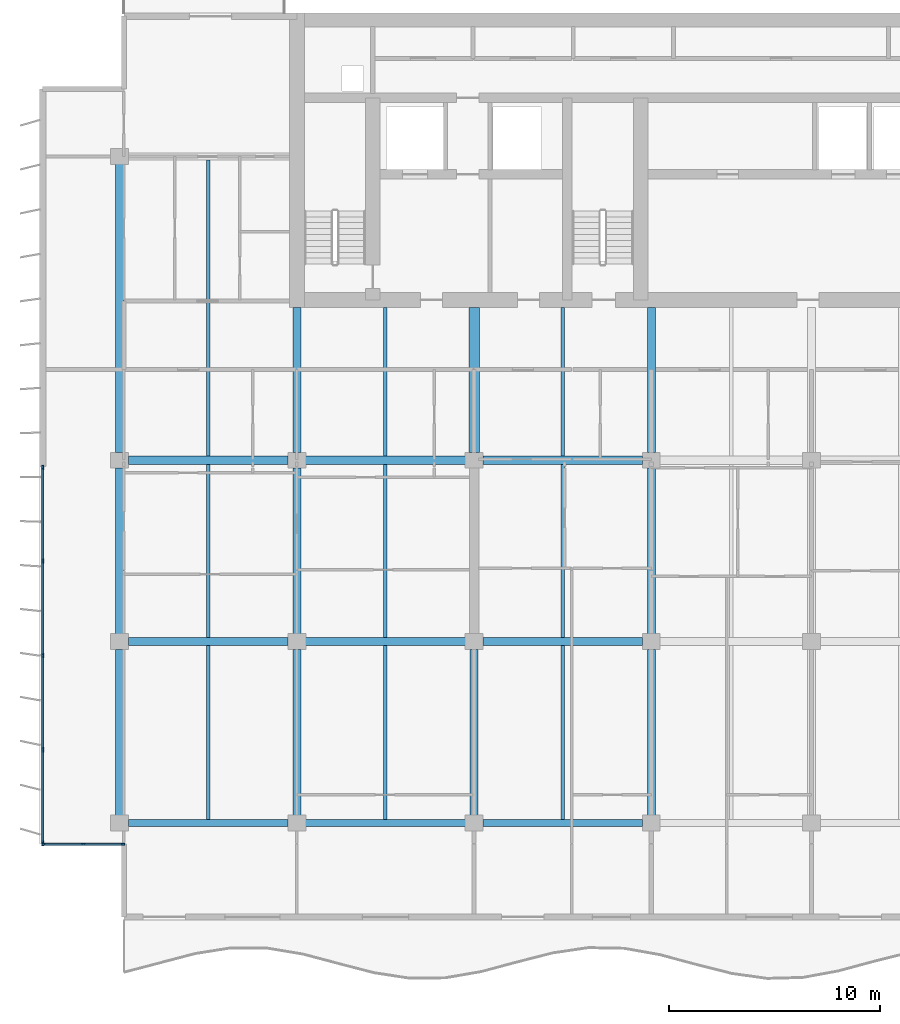
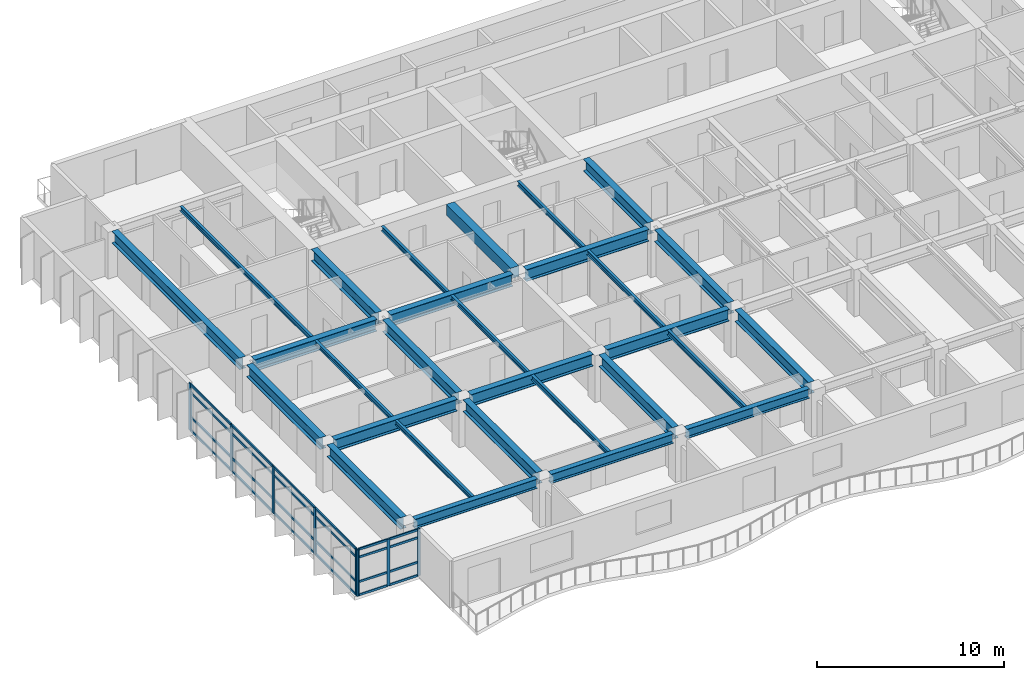
# One storey, part 2 of 18: 32 members, 29 beams, 2 elements without a shape of their own.
"""IFC4 building model written with IfcOpenShell, lengths in metres."""

from ifc_helpers import new_model, si_unit, direction, frame, origin, origin_2d, place, context, subcontext, project, spatial, rectangle, i_section, extrude, material, layer, layer_set, material_profile, profile_set, type_object, element, aggregate, save


model = new_model("IFC4")

# Units and contexts
model_context = context("Model", 3, precision=1e-05, world=origin(), true_north=direction((0.0, 1.0)))
body_context = subcontext(model_context, "Body", "Model", "MODEL_VIEW")
ifc_project = project(units=[si_unit("LENGTHUNIT", "METRE"), si_unit("AREAUNIT", "SQUARE_METRE"), si_unit("VOLUMEUNIT", "CUBIC_METRE"), si_unit("PLANEANGLEUNIT", "RADIAN"), si_unit("MASSUNIT", "GRAM", prefix="KILO")], contexts=[model_context])

# Site, building, storey
site_placement = place(None, origin())
site = spatial("IfcSite", under=ifc_project, at=site_placement, CompositionType="ELEMENT")
building_placement = place(site_placement, origin())
building = spatial("IfcBuilding", under=site, at=building_placement, Name="Caelmar Bay Residences", CompositionType="ELEMENT")
storey_placement = place(building_placement, frame((0.0, 0.0, 170.39990234375)))
storey = spatial("IfcBuildingStorey", under=building, at=storey_placement, Name="L47", CompositionType="ELEMENT", Elevation=170.39990234375)

# Beams
ifc_material_1 = material(Name="Steel ASTM A992 Grade 50", Category="steel")
ifc_material_profile_1 = material_profile(ifc_material_1, i_section(OverallWidth=0.381103515625, OverallDepth=0.77197265625, WebThickness=0.0166015625, FlangeThickness=0.027099609375, FilletRadius=0.0166015625, at=origin_2d()), Name="W30X173")
ifc_profile_set_1 = profile_set([ifc_material_profile_1], Name="Steel ASTM A992 Grade 50")
beam_type_1 = type_object("IfcBeamType", Name="BM-GRD-W30X173", PredefinedType="BEAM", material=ifc_profile_set_1)
beam_1_placement = place(storey_placement, frame((10.31494140625, 20.800048828125, 2.6640625), z_axis=(1.0, 0.0, 0.0), x_axis=(0.0, 1.0, 0.0)))
element("IfcBeam", 1, at=beam_1_placement, inside=storey, type_object=beam_type_1, Name="L47 East-West Girder Y=20.80 (9.9-18.3)", PredefinedType="BEAM", context=body_context, shape_type="SweptSolid", body=[
    extrude(i_section(OverallWidth=0.381103515625, OverallDepth=0.77197265625, WebThickness=0.0166015625, FlangeThickness=0.027099609375, FilletRadius=0.0166015625, at=origin_2d()), origin(), (0.0, 0.0, 1.0), 7.570068359375),
])
beam_2_placement = place(storey_placement, frame((18.715087890625, 20.800048828125, 2.6640625), z_axis=(1.0, 0.0, 0.0), x_axis=(0.0, 1.0, 0.0)))
element("IfcBeam", 2, at=beam_2_placement, inside=storey, type_object=beam_type_1, Name="L47 East-West Girder Y=20.80 (18.3-26.7)", PredefinedType="BEAM", context=body_context, shape_type="SweptSolid", body=[
    extrude(i_section(OverallWidth=0.381103515625, OverallDepth=0.77197265625, WebThickness=0.0166015625, FlangeThickness=0.027099609375, FilletRadius=0.0166015625, at=origin_2d()), origin(), (0.0, 0.0, 1.0), 7.56982421875),
])
for number, where, z_axis, x_axis, name in (
    (3, (27.114990234375, 20.800048828125, 2.6640625), (1.0, 0.0, 0.0), (0.0, 1.0, 0.0), "L47 East-West Girder Y=20.80 (26.7-35.1)"),
    (4, (10.31494140625, 29.39990234375, 2.6640625), (1.0, 0.0, 0.0), (0.0, 1.0, 0.0), "L47 East-West Girder Y=29.40 (9.9-18.3)"),
):
    element("IfcBeam", number, at=place(storey_placement, frame(where, z_axis=z_axis, x_axis=x_axis)), inside=storey, type_object=beam_type_1, Name=name, PredefinedType="BEAM", context=body_context, shape_type="SweptSolid", body=[
        extrude(i_section(OverallWidth=0.381103515625, OverallDepth=0.77197265625, WebThickness=0.0166015625, FlangeThickness=0.027099609375, FilletRadius=0.0166015625, at=origin_2d()), origin(), (0.0, 0.0, 1.0), 7.570068359375),
    ])
beam_3_placement = place(storey_placement, frame((18.715087890625, 29.39990234375, 2.6640625), z_axis=(1.0, 0.0, 0.0), x_axis=(0.0, 1.0, 0.0)))
element("IfcBeam", 5, at=beam_3_placement, inside=storey, type_object=beam_type_1, Name="L47 East-West Girder Y=29.40 (18.3-26.7)", PredefinedType="BEAM", context=body_context, shape_type="SweptSolid", body=[
    extrude(i_section(OverallWidth=0.381103515625, OverallDepth=0.77197265625, WebThickness=0.0166015625, FlangeThickness=0.027099609375, FilletRadius=0.0166015625, at=origin_2d()), origin(), (0.0, 0.0, 1.0), 7.56982421875),
])
beam_4_placement = place(storey_placement, frame((27.114990234375, 29.39990234375, 2.6640625), z_axis=(1.0, 0.0, 0.0), x_axis=(0.0, 1.0, 0.0)))
element("IfcBeam", 6, at=beam_4_placement, inside=storey, type_object=beam_type_1, Name="L47 East-West Girder Y=29.40 (26.7-35.1)", PredefinedType="BEAM", context=body_context, shape_type="SweptSolid", body=[
    extrude(i_section(OverallWidth=0.381103515625, OverallDepth=0.77197265625, WebThickness=0.0166015625, FlangeThickness=0.027099609375, FilletRadius=0.0166015625, at=origin_2d()), origin(), (0.0, 0.0, 1.0), 7.570068359375),
])
beam_5_placement = place(storey_placement, frame((9.89990234375, 12.56494140625, 2.6640625), z_axis=(0.0, 1.0, 0.0), x_axis=(-1.0, 0.0, 0.0)))
element("IfcBeam", 7, at=beam_5_placement, inside=storey, type_object=beam_type_1, Name="L47 North-South Girder X=9.90 (12.2-20.8)", PredefinedType="BEAM", context=body_context, shape_type="SweptSolid", body=[
    extrude(i_section(OverallWidth=0.381103515625, OverallDepth=0.77197265625, WebThickness=0.0166015625, FlangeThickness=0.027099609375, FilletRadius=0.0166015625, at=origin_2d()), origin(), (0.0, 0.0, 1.0), 7.8701171875),
])
beam_6_placement = place(storey_placement, frame((9.89990234375, 21.1650390625, 2.6640625), z_axis=(0.0, 1.0, 0.0), x_axis=(-1.0, 0.0, 0.0)))
element("IfcBeam", 8, at=beam_6_placement, inside=storey, type_object=beam_type_1, Name="L47 North-South Girder X=9.90 (20.8-29.4)", PredefinedType="BEAM", context=body_context, shape_type="SweptSolid", body=[
    extrude(i_section(OverallWidth=0.381103515625, OverallDepth=0.77197265625, WebThickness=0.0166015625, FlangeThickness=0.027099609375, FilletRadius=0.0166015625, at=origin_2d()), origin(), (0.0, 0.0, 1.0), 7.869873046875),
])
beam_7_placement = place(storey_placement, frame((9.89990234375, 29.764892578125, 2.6640625), z_axis=(0.0, 1.0, 0.0), x_axis=(-1.0, 0.0, 0.0)))
element("IfcBeam", 9, at=beam_7_placement, inside=storey, type_object=beam_type_1, Name="L47 North-South Girder X=9.90 (29.4-43.8)", PredefinedType="BEAM", context=body_context, shape_type="SweptSolid", body=[
    extrude(i_section(OverallWidth=0.381103515625, OverallDepth=0.77197265625, WebThickness=0.0166015625, FlangeThickness=0.027099609375, FilletRadius=0.0166015625, at=origin_2d()), origin(), (0.0, 0.0, 1.0), 13.670166015625),
])
beam_8_placement = place(storey_placement, frame((18.300048828125, 29.764892578125, 2.6640625), z_axis=(0.0, 1.0, 0.0), x_axis=(-1.0, 0.0, 0.0)))
element("IfcBeam", 10, at=beam_8_placement, inside=storey, type_object=beam_type_1, Name="L47 Core Tie Girder X=18.30", PredefinedType="BEAM", context=body_context, shape_type="SweptSolid", body=[
    extrude(i_section(OverallWidth=0.381103515625, OverallDepth=0.77197265625, WebThickness=0.0166015625, FlangeThickness=0.027099609375, FilletRadius=0.0166015625, at=origin_2d()), origin(), (0.0, 0.0, 1.0), 6.885009765625),
])
beam_9_placement = place(storey_placement, frame((18.300048828125, 12.56494140625, 2.6640625), z_axis=(0.0, 1.0, 0.0), x_axis=(-1.0, 0.0, 0.0)))
element("IfcBeam", 11, at=beam_9_placement, inside=storey, type_object=beam_type_1, Name="L47 North-South Girder X=18.30 (12.2-20.8)", PredefinedType="BEAM", context=body_context, shape_type="SweptSolid", body=[
    extrude(i_section(OverallWidth=0.381103515625, OverallDepth=0.77197265625, WebThickness=0.0166015625, FlangeThickness=0.027099609375, FilletRadius=0.0166015625, at=origin_2d()), origin(), (0.0, 0.0, 1.0), 7.8701171875),
])
beam_10_placement = place(storey_placement, frame((18.300048828125, 21.1650390625, 2.6640625), z_axis=(0.0, 1.0, 0.0), x_axis=(-1.0, 0.0, 0.0)))
element("IfcBeam", 12, at=beam_10_placement, inside=storey, type_object=beam_type_1, Name="L47 North-South Girder X=18.30 (20.8-29.4)", PredefinedType="BEAM", context=body_context, shape_type="SweptSolid", body=[
    extrude(i_section(OverallWidth=0.381103515625, OverallDepth=0.77197265625, WebThickness=0.0166015625, FlangeThickness=0.027099609375, FilletRadius=0.0166015625, at=origin_2d()), origin(), (0.0, 0.0, 1.0), 7.869873046875),
])
beam_11_placement = place(storey_placement, frame((26.699951171875, 12.56494140625, 2.6640625), z_axis=(0.0, 1.0, 0.0), x_axis=(-1.0, 0.0, 0.0)))
element("IfcBeam", 13, at=beam_11_placement, inside=storey, type_object=beam_type_1, Name="L47 North-South Girder X=26.70 (12.2-20.8)", PredefinedType="BEAM", context=body_context, shape_type="SweptSolid", body=[
    extrude(i_section(OverallWidth=0.381103515625, OverallDepth=0.77197265625, WebThickness=0.0166015625, FlangeThickness=0.027099609375, FilletRadius=0.0166015625, at=origin_2d()), origin(), (0.0, 0.0, 1.0), 7.8701171875),
])
beam_12_placement = place(storey_placement, frame((35.10009765625, 29.764892578125, 2.6640625), z_axis=(0.0, 1.0, 0.0), x_axis=(-1.0, 0.0, 0.0)))
element("IfcBeam", 14, at=beam_12_placement, inside=storey, type_object=beam_type_1, Name="L47 Core Tie Girder X=35.10", PredefinedType="BEAM", context=body_context, shape_type="SweptSolid", body=[
    extrude(i_section(OverallWidth=0.381103515625, OverallDepth=0.77197265625, WebThickness=0.0166015625, FlangeThickness=0.027099609375, FilletRadius=0.0166015625, at=origin_2d()), origin(), (0.0, 0.0, 1.0), 6.885009765625),
])
beam_13_placement = place(storey_placement, frame((35.10009765625, 12.56494140625, 2.6640625), z_axis=(0.0, 1.0, 0.0), x_axis=(-1.0, 0.0, 0.0)))
element("IfcBeam", 15, at=beam_13_placement, inside=storey, type_object=beam_type_1, Name="L47 North-South Girder X=35.10 (12.2-20.8)", PredefinedType="BEAM", context=body_context, shape_type="SweptSolid", body=[
    extrude(i_section(OverallWidth=0.381103515625, OverallDepth=0.77197265625, WebThickness=0.0166015625, FlangeThickness=0.027099609375, FilletRadius=0.0166015625, at=origin_2d()), origin(), (0.0, 0.0, 1.0), 7.8701171875),
])
beam_14_placement = place(storey_placement, frame((35.10009765625, 21.1650390625, 2.6640625), z_axis=(0.0, 1.0, 0.0), x_axis=(-1.0, 0.0, 0.0)))
element("IfcBeam", 16, at=beam_14_placement, inside=storey, type_object=beam_type_1, Name="L47 North-South Girder X=35.10 (20.8-29.4)", PredefinedType="BEAM", context=body_context, shape_type="SweptSolid", body=[
    extrude(i_section(OverallWidth=0.381103515625, OverallDepth=0.77197265625, WebThickness=0.0166015625, FlangeThickness=0.027099609375, FilletRadius=0.0166015625, at=origin_2d()), origin(), (0.0, 0.0, 1.0), 7.869873046875),
])
ifc_material_profile_2 = material_profile(ifc_material_1, i_section(OverallWidth=0.1650390625, OverallDepth=0.31005859375, WebThickness=0.005859375, FlangeThickness=0.009765625, FilletRadius=0.007568359375, at=origin_2d()), Name="W12X26")
ifc_profile_set_2 = profile_set([ifc_material_profile_2], Name="Steel ASTM A992 Grade 50")
beam_type_2 = type_object("IfcBeamType", Name="BM-JST-W12X26", PredefinedType="JOIST", material=ifc_profile_set_2)
for number, where, z_axis, x_axis, name in (
    (17, (14.10009765625, 12.362548828125, 2.89501953125), (0.0, 1.0, 0.0), (-1.0, 0.0, 0.0), "L47 Composite Floor Joist 1"),
    (18, (22.5, 12.362548828125, 2.89501953125), (0.0, 1.0, 0.0), (-1.0, 0.0, 0.0), "L47 Composite Floor Joist 2"),
    (19, (30.89990234375, 12.362548828125, 2.89501953125), (0.0, 1.0, 0.0), (-1.0, 0.0, 0.0), "L47 Composite Floor Joist 3"),
):
    element("IfcBeam", number, at=place(storey_placement, frame(where, z_axis=z_axis, x_axis=x_axis)), inside=storey, type_object=beam_type_2, Name=name, PredefinedType="JOIST", context=body_context, shape_type="SweptSolid", body=[
        extrude(i_section(OverallWidth=0.1650390625, OverallDepth=0.31005859375, WebThickness=0.005859375, FlangeThickness=0.009765625, FilletRadius=0.007568359375, at=origin_2d()), origin(), (0.0, 0.0, 1.0), 8.2470703125),
    ])
for number, where, z_axis, x_axis, name in (
    (20, (14.10009765625, 20.990478515625, 2.89501953125), (0.0, 1.0, 0.0), (-1.0, 0.0, 0.0), "L47 Composite Floor Joist 8"),
    (21, (22.5, 20.990478515625, 2.89501953125), (0.0, 1.0, 0.0), (-1.0, 0.0, 0.0), "L47 Composite Floor Joist 9"),
    (22, (30.89990234375, 20.990478515625, 2.89501953125), (0.0, 1.0, 0.0), (-1.0, 0.0, 0.0), "L47 Composite Floor Joist 10"),
):
    element("IfcBeam", number, at=place(storey_placement, frame(where, z_axis=z_axis, x_axis=x_axis)), inside=storey, type_object=beam_type_2, Name=name, PredefinedType="JOIST", context=body_context, shape_type="SweptSolid", body=[
        extrude(i_section(OverallWidth=0.1650390625, OverallDepth=0.31005859375, WebThickness=0.005859375, FlangeThickness=0.009765625, FilletRadius=0.007568359375, at=origin_2d()), origin(), (0.0, 0.0, 1.0), 8.218994140625),
    ])
for number, where, z_axis, x_axis, name in (
    (23, (22.5, 29.590576171875, 2.89501953125), (0.0, 1.0, 0.0), (-1.0, 0.0, 0.0), "L47 Core-Band Composite Joist 15"),
    (24, (30.89990234375, 29.590576171875, 2.89501953125), (0.0, 1.0, 0.0), (-1.0, 0.0, 0.0), "L47 Core-Band Composite Joist 16"),
):
    element("IfcBeam", number, at=place(storey_placement, frame(where, z_axis=z_axis, x_axis=x_axis)), inside=storey, type_object=beam_type_2, Name=name, PredefinedType="JOIST", context=body_context, shape_type="SweptSolid", body=[
        extrude(i_section(OverallWidth=0.1650390625, OverallDepth=0.31005859375, WebThickness=0.005859375, FlangeThickness=0.009765625, FilletRadius=0.007568359375, at=origin_2d()), origin(), (0.0, 0.0, 1.0), 7.059326171875),
    ])
beam_15_placement = place(storey_placement, frame((14.10009765625, 29.590576171875, 2.89501953125), z_axis=(0.0, 1.0, 0.0), x_axis=(-1.0, 0.0, 0.0)))
element("IfcBeam", 25, at=beam_15_placement, inside=storey, type_object=beam_type_2, Name="L47 Composite Floor Joist 20", PredefinedType="JOIST", context=body_context, shape_type="SweptSolid", body=[
    extrude(i_section(OverallWidth=0.1650390625, OverallDepth=0.31005859375, WebThickness=0.005859375, FlangeThickness=0.009765625, FilletRadius=0.007568359375, at=origin_2d()), origin(), (0.0, 0.0, 1.0), 14.046875),
])
ifc_material_2 = material(Name="Concrete f'c 55 MPa (8,000 psi)", Category="concrete")
ifc_material_profile_3 = material_profile(ifc_material_2, rectangle(XDim=0.5, YDim=0.699951171875, at=origin_2d()), Name="RC-BM-500X700")
ifc_profile_set_3 = profile_set([ifc_material_profile_3], Name="Concrete f'c 55 MPa (8,000 psi)")
beam_type_3 = type_object("IfcBeamType", Name="BM-RC-500X700", PredefinedType="LINTEL", material=ifc_profile_set_3)
beam_16_placement = place(storey_placement, frame((26.699951171875, 29.764892578125, 2.7001953125), z_axis=(0.0, 1.0, 0.0), x_axis=(-1.0, 0.0, 0.0)))
element("IfcBeam", 26, at=beam_16_placement, inside=storey, type_object=beam_type_3, Name="L47 Shear-Wall Corridor Coupling Lintel W5", PredefinedType="LINTEL", context=body_context, shape_type="SweptSolid", body=[
    extrude(rectangle(XDim=0.5, YDim=0.699951171875, at=origin_2d()), origin(), (0.0, 0.0, 1.0), 6.885009765625),
])
ifc_material_profile_4 = material_profile(ifc_material_1, i_section(OverallWidth=0.324951171875, OverallDepth=0.616943359375, WebThickness=0.013916015625, FlangeThickness=0.021484375, FilletRadius=0.0126953125, at=origin_2d()), Name="W24X117")
ifc_profile_set_4 = profile_set([ifc_material_profile_4], Name="Steel ASTM A992 Grade 50")
beam_type_4 = type_object("IfcBeamType", Name="BM-SPN-W24X117", PredefinedType="SPANDREL", material=ifc_profile_set_4)
beam_17_placement = place(storey_placement, frame((10.31494140625, 12.199951171875, 2.74169921875), z_axis=(1.0, 0.0, 0.0), x_axis=(0.0, 1.0, 0.0)))
element("IfcBeam", 27, at=beam_17_placement, inside=storey, type_object=beam_type_4, Name="L47 East-West Girder Y=12.20 (9.9-18.3)", PredefinedType="SPANDREL", context=body_context, shape_type="SweptSolid", body=[
    extrude(i_section(OverallWidth=0.324951171875, OverallDepth=0.616943359375, WebThickness=0.013916015625, FlangeThickness=0.021484375, FilletRadius=0.0126953125, at=origin_2d()), origin(), (0.0, 0.0, 1.0), 7.570068359375),
])
beam_18_placement = place(storey_placement, frame((18.715087890625, 12.199951171875, 2.74169921875), z_axis=(1.0, 0.0, 0.0), x_axis=(0.0, 1.0, 0.0)))
element("IfcBeam", 28, at=beam_18_placement, inside=storey, type_object=beam_type_4, Name="L47 East-West Girder Y=12.20 (18.3-26.7)", PredefinedType="SPANDREL", context=body_context, shape_type="SweptSolid", body=[
    extrude(i_section(OverallWidth=0.324951171875, OverallDepth=0.616943359375, WebThickness=0.013916015625, FlangeThickness=0.021484375, FilletRadius=0.0126953125, at=origin_2d()), origin(), (0.0, 0.0, 1.0), 7.56982421875),
])
beam_19_placement = place(storey_placement, frame((27.114990234375, 12.199951171875, 2.74169921875), z_axis=(1.0, 0.0, 0.0), x_axis=(0.0, 1.0, 0.0)))
element("IfcBeam", 29, at=beam_19_placement, inside=storey, type_object=beam_type_4, Name="L47 East-West Girder Y=12.20 (26.7-35.1)", PredefinedType="SPANDREL", context=body_context, shape_type="SweptSolid", body=[
    extrude(i_section(OverallWidth=0.324951171875, OverallDepth=0.616943359375, WebThickness=0.013916015625, FlangeThickness=0.021484375, FilletRadius=0.0126953125, at=origin_2d()), origin(), (0.0, 0.0, 1.0), 7.570068359375),
])

# Curtain wall, members
ifc_material_3 = material(Name="Anodised bronze aluminium 6063-T6 and laminated glass", Category="aluminium")
ifc_layer_1 = layer(ifc_material_3, 0.179931640625)
ifc_layer_set_1 = layer_set([ifc_layer_1], Name="Anodised bronze aluminium 6063-T6 and laminated glass")
curtain_wall_type_1 = type_object("IfcCurtainWallType", Name="CW6-NTC", PredefinedType="NOTDEFINED", material=ifc_layer_set_1)
curtain_wall_1_placement = place(storey_placement, origin())
curtain_wall_1 = element("IfcCurtainWall", 30, at=curtain_wall_1_placement, inside=storey, type_object=curtain_wall_type_1, Name="CW6 curtain wall L47", PredefinedType="NOTDEFINED")
ifc_material_4 = material(Name="Anodised bronze aluminium 6063-T6", Category="aluminium")
ifc_material_profile_5 = material_profile(ifc_material_4, rectangle(XDim=0.080078125, YDim=0.179931640625, at=origin_2d()), Name="CWM-80X180")
ifc_profile_set_5 = profile_set([ifc_material_profile_5], Name="Anodised bronze aluminium 6063-T6")
member_type_1 = type_object("IfcMemberType", Name="CWM-180", PredefinedType="MULLION", material=ifc_profile_set_5)
member_1_placement = place(storey_placement, frame((6.2900390625, 11.199951171875, 0.0), z_axis=(0.0, 0.0, 1.0), x_axis=(0.0, 1.0, 0.0)))
member_1 = element("IfcMember", 31, at=member_1_placement, type_object=member_type_1, Name="CW6 mullion 1", PredefinedType="MULLION", context=body_context, shape_type="SweptSolid", body=[
    extrude(rectangle(XDim=0.080078125, YDim=0.179931640625, at=origin_2d()), origin(), (0.0, 0.0, 1.0), 3.050048828125),
])
member_2_placement = place(storey_placement, frame((8.175048828125, 11.199951171875, 0.0), z_axis=(0.0, 0.0, 1.0), x_axis=(0.0, 1.0, 0.0)))
member_2 = element("IfcMember", 32, at=member_2_placement, type_object=member_type_1, Name="CW6 mullion 2", PredefinedType="MULLION", context=body_context, shape_type="SweptSolid", body=[
    extrude(rectangle(XDim=0.080078125, YDim=0.179931640625, at=origin_2d()), origin(), (0.0, 0.0, 1.0), 3.050048828125),
])
member_3_placement = place(storey_placement, frame((10.06005859375, 11.199951171875, 0.0), z_axis=(0.0, 0.0, 1.0), x_axis=(0.0, 1.0, 0.0)))
member_3 = element("IfcMember", 33, at=member_3_placement, type_object=member_type_1, Name="CW6 mullion 3", PredefinedType="MULLION", context=body_context, shape_type="SweptSolid", body=[
    extrude(rectangle(XDim=0.080078125, YDim=0.179931640625, at=origin_2d()), origin(), (0.0, 0.0, 1.0), 3.050048828125),
])

ifc_layer_2 = layer(ifc_material_3, 0.179931640625)
ifc_layer_set_2 = layer_set([ifc_layer_2], Name="Anodised bronze aluminium 6063-T6 and laminated glass")
curtain_wall_type_2 = type_object("IfcCurtainWallType", Name="CW4-Z3", PredefinedType="NOTDEFINED", material=ifc_layer_set_2)
curtain_wall_2_placement = place(storey_placement, origin())
curtain_wall_2 = element("IfcCurtainWall", 34, at=curtain_wall_2_placement, inside=storey, type_object=curtain_wall_type_2, Name="CW4 curtain wall L47", PredefinedType="NOTDEFINED")
ifc_material_profile_6 = material_profile(ifc_material_4, rectangle(XDim=0.080078125, YDim=0.219970703125, at=origin_2d()), Name="CWM-80X220")
ifc_profile_set_6 = profile_set([ifc_material_profile_6], Name="Anodised bronze aluminium 6063-T6")
member_type_2 = type_object("IfcMemberType", Name="CWM-220", PredefinedType="MULLION", material=ifc_profile_set_6)
member_4_placement = place(storey_placement, frame((6.25, 11.239990234375, 0.0), z_axis=(0.0, 0.0, 1.0), x_axis=(-1.0, 0.0, 0.0)))
member_4 = element("IfcMember", 35, at=member_4_placement, type_object=member_type_2, Name="CW4 mullion 1", PredefinedType="MULLION", context=body_context, shape_type="SweptSolid", body=[
    extrude(rectangle(XDim=0.080078125, YDim=0.219970703125, at=origin_2d()), origin(), (0.0, 0.0, 1.0), 3.050048828125),
])
member_5_placement = place(storey_placement, frame((6.25, 15.675048828125, 0.0), z_axis=(0.0, 0.0, 1.0), x_axis=(-1.0, 0.0, 0.0)))
member_5 = element("IfcMember", 36, at=member_5_placement, type_object=member_type_2, Name="CW4 mullion 2", PredefinedType="MULLION", context=body_context, shape_type="SweptSolid", body=[
    extrude(rectangle(XDim=0.080078125, YDim=0.219970703125, at=origin_2d()), origin(), (0.0, 0.0, 1.0), 3.050048828125),
])
member_6_placement = place(storey_placement, frame((6.25, 20.14990234375, 0.0), z_axis=(0.0, 0.0, 1.0), x_axis=(-1.0, 0.0, 0.0)))
member_6 = element("IfcMember", 37, at=member_6_placement, type_object=member_type_2, Name="CW4 mullion 3", PredefinedType="MULLION", context=body_context, shape_type="SweptSolid", body=[
    extrude(rectangle(XDim=0.080078125, YDim=0.219970703125, at=origin_2d()), origin(), (0.0, 0.0, 1.0), 3.050048828125),
])
member_7_placement = place(storey_placement, frame((6.25, 24.625, 0.0), z_axis=(0.0, 0.0, 1.0), x_axis=(-1.0, 0.0, 0.0)))
member_7 = element("IfcMember", 38, at=member_7_placement, type_object=member_type_2, Name="CW4 mullion 4", PredefinedType="MULLION", context=body_context, shape_type="SweptSolid", body=[
    extrude(rectangle(XDim=0.080078125, YDim=0.219970703125, at=origin_2d()), origin(), (0.0, 0.0, 1.0), 3.050048828125),
])
member_8_placement = place(storey_placement, frame((6.25, 29.06005859375, 0.0), z_axis=(0.0, 0.0, 1.0), x_axis=(-1.0, 0.0, 0.0)))
member_8 = element("IfcMember", 39, at=member_8_placement, type_object=member_type_2, Name="CW4 mullion 5", PredefinedType="MULLION", context=body_context, shape_type="SweptSolid", body=[
    extrude(rectangle(XDim=0.080078125, YDim=0.219970703125, at=origin_2d()), origin(), (0.0, 0.0, 1.0), 3.050048828125),
])

# Member
ifc_material_profile_7 = material_profile(ifc_material_4, rectangle(XDim=0.080078125, YDim=0.139892578125, at=origin_2d()), Name="CWT-80X140")
ifc_profile_set_7 = profile_set([ifc_material_profile_7], Name="Anodised bronze aluminium 6063-T6")
member_type_3 = type_object("IfcMemberType", Name="CWT-140", PredefinedType="NOTDEFINED", material=ifc_profile_set_7)
member_9_placement = place(storey_placement, frame((6.330078125, 11.199951171875, 0.0400390625), z_axis=(1.0, 0.0, 0.0), x_axis=(0.0, 1.0, 0.0)))
member_9 = element("IfcMember", 40, at=member_9_placement, type_object=member_type_3, Name="CW6 transom 1.1", ObjectType="TRANSOM", PredefinedType="USERDEFINED", context=body_context, shape_type="SweptSolid", body=[
    extrude(rectangle(XDim=0.080078125, YDim=0.139892578125, at=origin_2d()), origin(), (0.0, 0.0, 1.0), 1.804931640625),
])

member_10_placement = place(storey_placement, frame((6.330078125, 11.199951171875, 0.900146484375), z_axis=(1.0, 0.0, 0.0), x_axis=(0.0, 1.0, 0.0)))
member_10 = element("IfcMember", 41, at=member_10_placement, type_object=member_type_3, Name="CW6 transom 1.2", ObjectType="TRANSOM", PredefinedType="USERDEFINED", context=body_context, shape_type="SweptSolid", body=[
    extrude(rectangle(XDim=0.080078125, YDim=0.139892578125, at=origin_2d()), origin(), (0.0, 0.0, 1.0), 1.804931640625),
])

member_11_placement = place(storey_placement, frame((6.330078125, 11.199951171875, 2.5), z_axis=(1.0, 0.0, 0.0), x_axis=(0.0, 1.0, 0.0)))
member_11 = element("IfcMember", 42, at=member_11_placement, type_object=member_type_3, Name="CW6 transom 1.3", ObjectType="TRANSOM", PredefinedType="USERDEFINED", context=body_context, shape_type="SweptSolid", body=[
    extrude(rectangle(XDim=0.080078125, YDim=0.139892578125, at=origin_2d()), origin(), (0.0, 0.0, 1.0), 1.804931640625),
])

member_12_placement = place(storey_placement, frame((6.330078125, 11.199951171875, 3.010009765625), z_axis=(1.0, 0.0, 0.0), x_axis=(0.0, 1.0, 0.0)))
member_12 = element("IfcMember", 43, at=member_12_placement, type_object=member_type_3, Name="CW6 transom 1.4", ObjectType="TRANSOM", PredefinedType="USERDEFINED", context=body_context, shape_type="SweptSolid", body=[
    extrude(rectangle(XDim=0.080078125, YDim=0.139892578125, at=origin_2d()), origin(), (0.0, 0.0, 1.0), 1.804931640625),
])

member_13_placement = place(storey_placement, frame((8.215087890625, 11.199951171875, 0.0400390625), z_axis=(1.0, 0.0, 0.0), x_axis=(0.0, 1.0, 0.0)))
member_13 = element("IfcMember", 44, at=member_13_placement, type_object=member_type_3, Name="CW6 transom 2.1", ObjectType="TRANSOM", PredefinedType="USERDEFINED", context=body_context, shape_type="SweptSolid", body=[
    extrude(rectangle(XDim=0.080078125, YDim=0.139892578125, at=origin_2d()), origin(), (0.0, 0.0, 1.0), 1.804931640625),
])

member_14_placement = place(storey_placement, frame((8.215087890625, 11.199951171875, 0.900146484375), z_axis=(1.0, 0.0, 0.0), x_axis=(0.0, 1.0, 0.0)))
member_14 = element("IfcMember", 45, at=member_14_placement, type_object=member_type_3, Name="CW6 transom 2.2", ObjectType="TRANSOM", PredefinedType="USERDEFINED", context=body_context, shape_type="SweptSolid", body=[
    extrude(rectangle(XDim=0.080078125, YDim=0.139892578125, at=origin_2d()), origin(), (0.0, 0.0, 1.0), 1.804931640625),
])

member_15_placement = place(storey_placement, frame((8.215087890625, 11.199951171875, 2.5), z_axis=(1.0, 0.0, 0.0), x_axis=(0.0, 1.0, 0.0)))
member_15 = element("IfcMember", 46, at=member_15_placement, type_object=member_type_3, Name="CW6 transom 2.3", ObjectType="TRANSOM", PredefinedType="USERDEFINED", context=body_context, shape_type="SweptSolid", body=[
    extrude(rectangle(XDim=0.080078125, YDim=0.139892578125, at=origin_2d()), origin(), (0.0, 0.0, 1.0), 1.804931640625),
])

member_16_placement = place(storey_placement, frame((8.215087890625, 11.199951171875, 3.010009765625), z_axis=(1.0, 0.0, 0.0), x_axis=(0.0, 1.0, 0.0)))
member_16 = element("IfcMember", 47, at=member_16_placement, type_object=member_type_3, Name="CW6 transom 2.4", ObjectType="TRANSOM", PredefinedType="USERDEFINED", context=body_context, shape_type="SweptSolid", body=[
    extrude(rectangle(XDim=0.080078125, YDim=0.139892578125, at=origin_2d()), origin(), (0.0, 0.0, 1.0), 1.804931640625),
])

aggregate(curtain_wall_1, [member_1, member_2, member_3, member_9, member_10, member_11, member_12, member_13, member_14, member_15, member_16])

member_17_placement = place(storey_placement, frame((6.25, 11.280029296875, 0.0400390625), z_axis=(0.0, 1.0, 0.0), x_axis=(-1.0, 0.0, 0.0)))
member_17 = element("IfcMember", 48, at=member_17_placement, type_object=member_type_3, Name="CW4 transom 1.1", ObjectType="TRANSOM", PredefinedType="USERDEFINED", context=body_context, shape_type="SweptSolid", body=[
    extrude(rectangle(XDim=0.080078125, YDim=0.139892578125, at=origin_2d()), origin(), (0.0, 0.0, 1.0), 4.35498046875),
])

member_18_placement = place(storey_placement, frame((6.25, 11.280029296875, 0.900146484375), z_axis=(0.0, 1.0, 0.0), x_axis=(-1.0, 0.0, 0.0)))
member_18 = element("IfcMember", 49, at=member_18_placement, type_object=member_type_3, Name="CW4 transom 1.2", ObjectType="TRANSOM", PredefinedType="USERDEFINED", context=body_context, shape_type="SweptSolid", body=[
    extrude(rectangle(XDim=0.080078125, YDim=0.139892578125, at=origin_2d()), origin(), (0.0, 0.0, 1.0), 4.35498046875),
])

member_19_placement = place(storey_placement, frame((6.25, 11.280029296875, 2.5), z_axis=(0.0, 1.0, 0.0), x_axis=(-1.0, 0.0, 0.0)))
member_19 = element("IfcMember", 50, at=member_19_placement, type_object=member_type_3, Name="CW4 transom 1.3", ObjectType="TRANSOM", PredefinedType="USERDEFINED", context=body_context, shape_type="SweptSolid", body=[
    extrude(rectangle(XDim=0.080078125, YDim=0.139892578125, at=origin_2d()), origin(), (0.0, 0.0, 1.0), 4.35498046875),
])

member_20_placement = place(storey_placement, frame((6.25, 11.280029296875, 3.010009765625), z_axis=(0.0, 1.0, 0.0), x_axis=(-1.0, 0.0, 0.0)))
member_20 = element("IfcMember", 51, at=member_20_placement, type_object=member_type_3, Name="CW4 transom 1.4", ObjectType="TRANSOM", PredefinedType="USERDEFINED", context=body_context, shape_type="SweptSolid", body=[
    extrude(rectangle(XDim=0.080078125, YDim=0.139892578125, at=origin_2d()), origin(), (0.0, 0.0, 1.0), 4.35498046875),
])

member_21_placement = place(storey_placement, frame((6.25, 15.715087890625, 0.0400390625), z_axis=(0.0, 1.0, 0.0), x_axis=(-1.0, 0.0, 0.0)))
member_21 = element("IfcMember", 52, at=member_21_placement, type_object=member_type_3, Name="CW4 transom 2.1", ObjectType="TRANSOM", PredefinedType="USERDEFINED", context=body_context, shape_type="SweptSolid", body=[
    extrude(rectangle(XDim=0.080078125, YDim=0.139892578125, at=origin_2d()), origin(), (0.0, 0.0, 1.0), 4.39501953125),
])

member_22_placement = place(storey_placement, frame((6.25, 15.715087890625, 0.900146484375), z_axis=(0.0, 1.0, 0.0), x_axis=(-1.0, 0.0, 0.0)))
member_22 = element("IfcMember", 53, at=member_22_placement, type_object=member_type_3, Name="CW4 transom 2.2", ObjectType="TRANSOM", PredefinedType="USERDEFINED", context=body_context, shape_type="SweptSolid", body=[
    extrude(rectangle(XDim=0.080078125, YDim=0.139892578125, at=origin_2d()), origin(), (0.0, 0.0, 1.0), 4.39501953125),
])

member_23_placement = place(storey_placement, frame((6.25, 15.715087890625, 2.5), z_axis=(0.0, 1.0, 0.0), x_axis=(-1.0, 0.0, 0.0)))
member_23 = element("IfcMember", 54, at=member_23_placement, type_object=member_type_3, Name="CW4 transom 2.3", ObjectType="TRANSOM", PredefinedType="USERDEFINED", context=body_context, shape_type="SweptSolid", body=[
    extrude(rectangle(XDim=0.080078125, YDim=0.139892578125, at=origin_2d()), origin(), (0.0, 0.0, 1.0), 4.39501953125),
])

member_24_placement = place(storey_placement, frame((6.25, 15.715087890625, 3.010009765625), z_axis=(0.0, 1.0, 0.0), x_axis=(-1.0, 0.0, 0.0)))
member_24 = element("IfcMember", 55, at=member_24_placement, type_object=member_type_3, Name="CW4 transom 2.4", ObjectType="TRANSOM", PredefinedType="USERDEFINED", context=body_context, shape_type="SweptSolid", body=[
    extrude(rectangle(XDim=0.080078125, YDim=0.139892578125, at=origin_2d()), origin(), (0.0, 0.0, 1.0), 4.39501953125),
])

member_25_placement = place(storey_placement, frame((6.25, 20.18994140625, 0.0400390625), z_axis=(0.0, 1.0, 0.0), x_axis=(-1.0, 0.0, 0.0)))
member_25 = element("IfcMember", 56, at=member_25_placement, type_object=member_type_3, Name="CW4 transom 3.1", ObjectType="TRANSOM", PredefinedType="USERDEFINED", context=body_context, shape_type="SweptSolid", body=[
    extrude(rectangle(XDim=0.080078125, YDim=0.139892578125, at=origin_2d()), origin(), (0.0, 0.0, 1.0), 4.39501953125),
])

member_26_placement = place(storey_placement, frame((6.25, 20.18994140625, 0.900146484375), z_axis=(0.0, 1.0, 0.0), x_axis=(-1.0, 0.0, 0.0)))
member_26 = element("IfcMember", 57, at=member_26_placement, type_object=member_type_3, Name="CW4 transom 3.2", ObjectType="TRANSOM", PredefinedType="USERDEFINED", context=body_context, shape_type="SweptSolid", body=[
    extrude(rectangle(XDim=0.080078125, YDim=0.139892578125, at=origin_2d()), origin(), (0.0, 0.0, 1.0), 4.39501953125),
])

member_27_placement = place(storey_placement, frame((6.25, 20.18994140625, 2.5), z_axis=(0.0, 1.0, 0.0), x_axis=(-1.0, 0.0, 0.0)))
member_27 = element("IfcMember", 58, at=member_27_placement, type_object=member_type_3, Name="CW4 transom 3.3", ObjectType="TRANSOM", PredefinedType="USERDEFINED", context=body_context, shape_type="SweptSolid", body=[
    extrude(rectangle(XDim=0.080078125, YDim=0.139892578125, at=origin_2d()), origin(), (0.0, 0.0, 1.0), 4.39501953125),
])

member_28_placement = place(storey_placement, frame((6.25, 20.18994140625, 3.010009765625), z_axis=(0.0, 1.0, 0.0), x_axis=(-1.0, 0.0, 0.0)))
member_28 = element("IfcMember", 59, at=member_28_placement, type_object=member_type_3, Name="CW4 transom 3.4", ObjectType="TRANSOM", PredefinedType="USERDEFINED", context=body_context, shape_type="SweptSolid", body=[
    extrude(rectangle(XDim=0.080078125, YDim=0.139892578125, at=origin_2d()), origin(), (0.0, 0.0, 1.0), 4.39501953125),
])

member_29_placement = place(storey_placement, frame((6.25, 24.6650390625, 0.0400390625), z_axis=(0.0, 1.0, 0.0), x_axis=(-1.0, 0.0, 0.0)))
member_29 = element("IfcMember", 60, at=member_29_placement, type_object=member_type_3, Name="CW4 transom 4.1", ObjectType="TRANSOM", PredefinedType="USERDEFINED", context=body_context, shape_type="SweptSolid", body=[
    extrude(rectangle(XDim=0.080078125, YDim=0.139892578125, at=origin_2d()), origin(), (0.0, 0.0, 1.0), 4.35498046875),
])

member_30_placement = place(storey_placement, frame((6.25, 24.6650390625, 0.900146484375), z_axis=(0.0, 1.0, 0.0), x_axis=(-1.0, 0.0, 0.0)))
member_30 = element("IfcMember", 61, at=member_30_placement, type_object=member_type_3, Name="CW4 transom 4.2", ObjectType="TRANSOM", PredefinedType="USERDEFINED", context=body_context, shape_type="SweptSolid", body=[
    extrude(rectangle(XDim=0.080078125, YDim=0.139892578125, at=origin_2d()), origin(), (0.0, 0.0, 1.0), 4.35498046875),
])

member_31_placement = place(storey_placement, frame((6.25, 24.6650390625, 2.5), z_axis=(0.0, 1.0, 0.0), x_axis=(-1.0, 0.0, 0.0)))
member_31 = element("IfcMember", 62, at=member_31_placement, type_object=member_type_3, Name="CW4 transom 4.3", ObjectType="TRANSOM", PredefinedType="USERDEFINED", context=body_context, shape_type="SweptSolid", body=[
    extrude(rectangle(XDim=0.080078125, YDim=0.139892578125, at=origin_2d()), origin(), (0.0, 0.0, 1.0), 4.35498046875),
])

member_32_placement = place(storey_placement, frame((6.25, 24.6650390625, 3.010009765625), z_axis=(0.0, 1.0, 0.0), x_axis=(-1.0, 0.0, 0.0)))
member_32 = element("IfcMember", 63, at=member_32_placement, type_object=member_type_3, Name="CW4 transom 4.4", ObjectType="TRANSOM", PredefinedType="USERDEFINED", context=body_context, shape_type="SweptSolid", body=[
    extrude(rectangle(XDim=0.080078125, YDim=0.139892578125, at=origin_2d()), origin(), (0.0, 0.0, 1.0), 4.35498046875),
])

aggregate(curtain_wall_2, [member_4, member_5, member_6, member_7, member_8, member_17, member_18, member_19, member_20, member_21, member_22, member_23, member_24, member_25, member_26, member_27, member_28, member_29, member_30, member_31, member_32])

save(model, "model.ifc")
